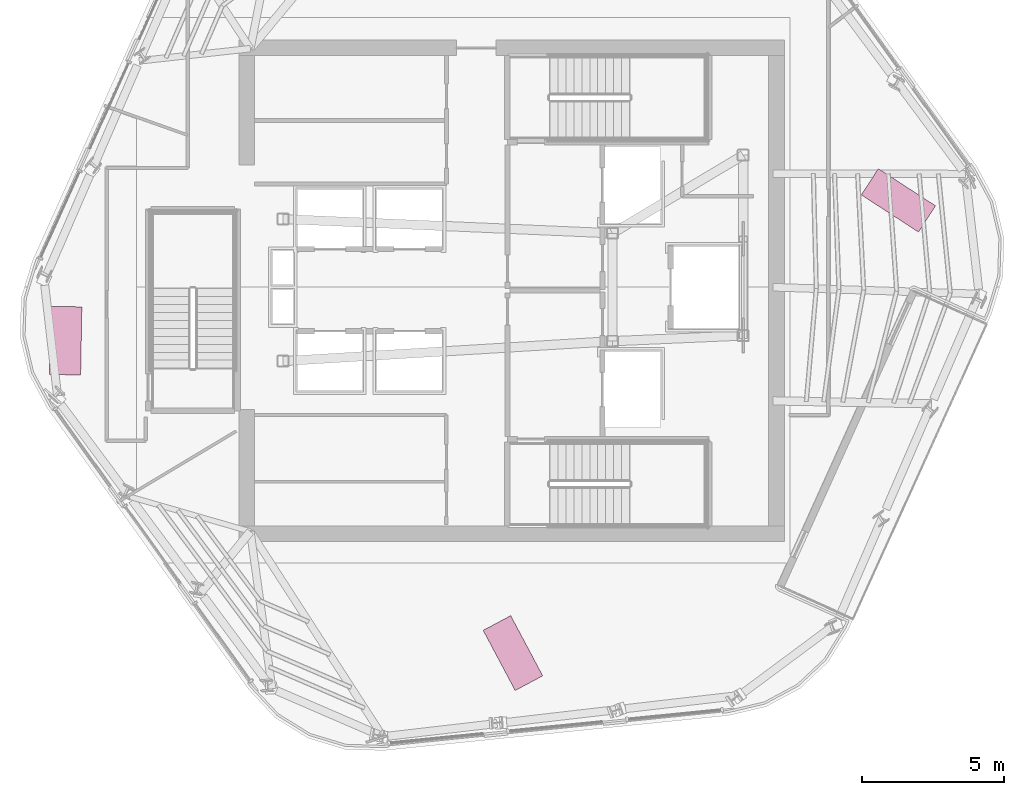
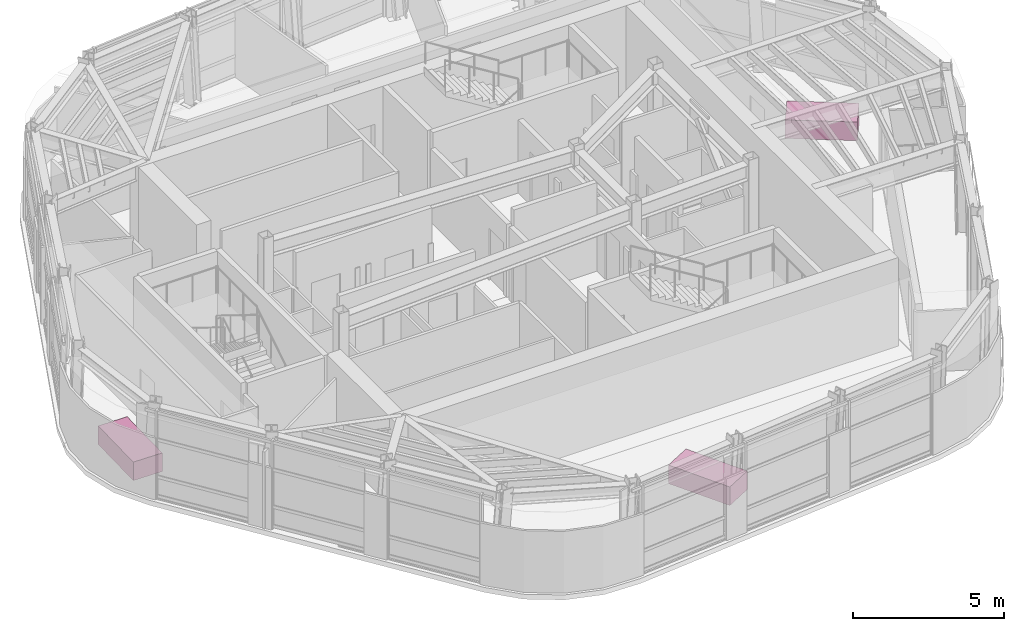
# One storey, part 12 of 12: 3 furniture elements.
"""IFC4 building model written with IfcOpenShell, lengths in metres."""

from ifc_helpers import new_model, si_unit, direction, frame, origin, origin_2d, place, context, subcontext, project, spatial, rectangle, extrude, material, type_object, element, save


model = new_model("IFC4")

# Units and contexts
model_context = context("Model", 3, precision=1e-05, world=origin(), true_north=direction((0.0, 1.0)))
body_context = subcontext(model_context, "Body", "Model", "MODEL_VIEW")
ifc_project = project(units=[si_unit("LENGTHUNIT", "METRE"), si_unit("AREAUNIT", "SQUARE_METRE"), si_unit("VOLUMEUNIT", "CUBIC_METRE"), si_unit("PLANEANGLEUNIT", "RADIAN"), si_unit("MASSUNIT", "GRAM", prefix="KILO")], contexts=[model_context])

# Site, building, storey
site_placement = place(None, origin())
site = spatial("IfcSite", under=ifc_project, at=site_placement, CompositionType="ELEMENT")
building_placement = place(site_placement, origin())
building = spatial("IfcBuilding", under=site, at=building_placement, Name="Valkerne Bourse Tower", CompositionType="ELEMENT")
storey_placement = place(building_placement, frame((0.0, 0.0, 307.800048828125)))
storey = spatial("IfcBuildingStorey", under=building, at=storey_placement, Name="L78", CompositionType="ELEMENT", Elevation=307.800048828125)

# Furniture
ifc_material = material(Name="Architectural White Oak Timber", Category="wood")
furniture_type = type_object("IfcFurnitureType", Name="FURN-DESK-2400", AssemblyPlace="NOTDEFINED", PredefinedType="DESK", material=ifc_material)
for number, where, z_axis, x_axis, name in (
    (1, (31.096923828125, 25.118896484375, 0.044921875), (0.0, 0.0, 1.0), (0.017452406437, 0.999847695156, 0.0), "L78 Suite Worktable 07"),
    (2, (46.844970703125, 14.1201171875, 0.044921875), (0.0, 0.0, 1.0), (-0.469471562786, 0.882947592859, 0.0), "L78 Suite Worktable 08"),
    (3, (60.416015625, 30.05810546875, 0.044921875), (0.0, 0.0, 1.0), (-0.838670567945, 0.544639035015, 0.0), "L78 Suite Worktable 09"),
):
    element("IfcFurniture", number, at=place(storey_placement, frame(where, z_axis=z_axis, x_axis=x_axis)), inside=storey, type_object=furniture_type, Name=name, PredefinedType="DESK", context=body_context, shape_type="SweptSolid", body=[
        extrude(rectangle(XDim=2.39990234375, YDim=1.10009765625, at=origin_2d()), origin(), (0.0, 0.0, 1.0), 0.75),
    ])

save(model, "model.ifc")
